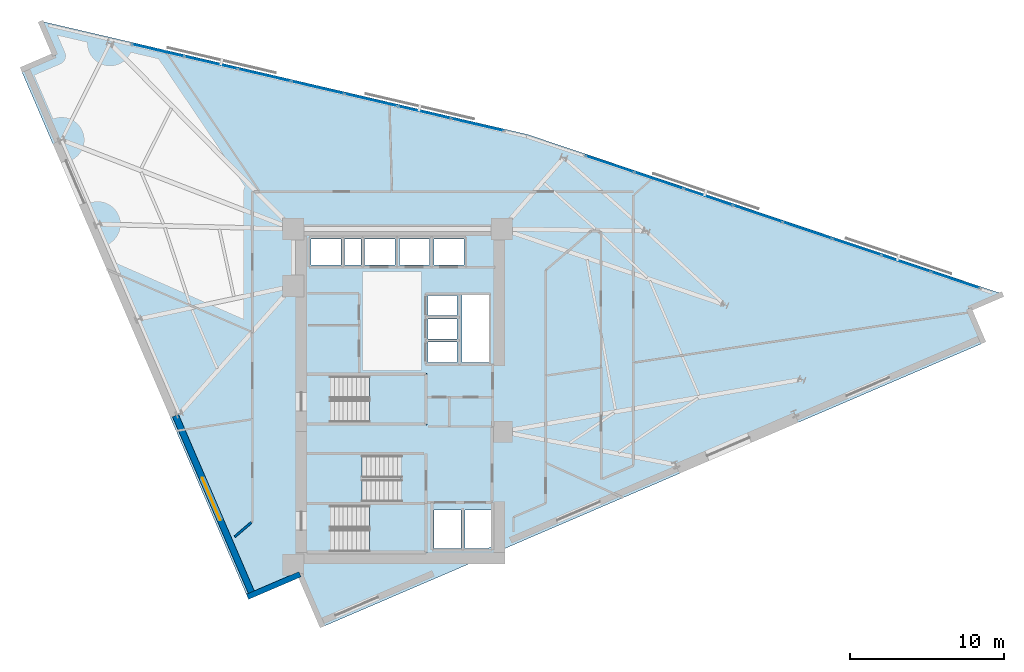
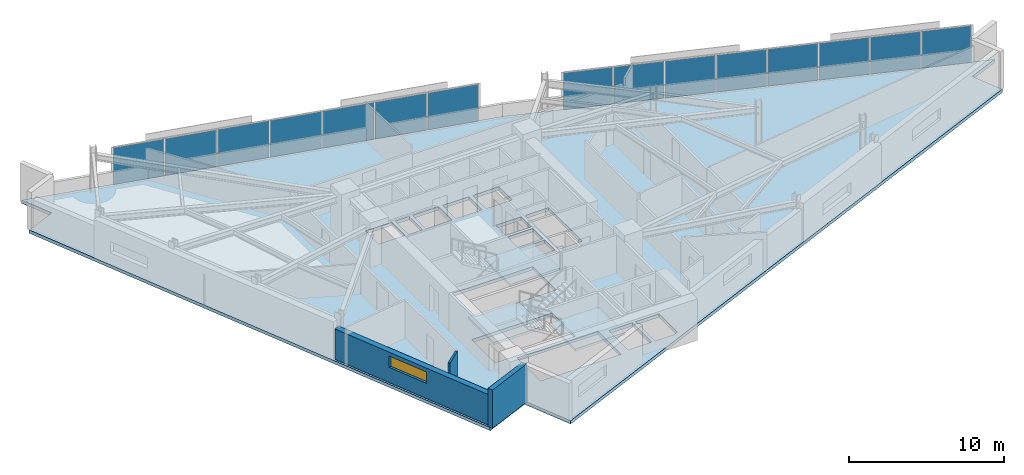
# One storey, part 8 of 14: 15 plates, 4 slabs, 3 walls, 1 window, 1 opening, 5 elements without a shape of their own.
"""IFC4 building model written with IfcOpenShell, lengths in metres."""

import ifcopenshell
import ifcopenshell.guid

model = None  # the IFC model being written
_history = None  # IfcOwnerHistory: only IFC2X3 demands one
_inside = {}  # id of a spatial element -> (the spatial element, [elements in it])
_under = {}  # id of a project, library or spatial element -> (it, [spatial elements below it])
_declared = {}  # id of a project -> (the project, [libraries it declares])
_typed = {}  # id of a type object -> (the type object, [elements of that type])
_made_of = {}  # id of a material, layer set ... -> (it, [elements and type objects made of it])


def new_model(schema):
    """Start an empty IFC model of exactly this schema.

    Asked for "IFC4X3", IfcOpenShell would pick the latest addendum, in which some entities
    have other attributes; the version numbers below select the first issue.
    IFC2X3 requires an IfcOwnerHistory on every rooted entity: one is made here for all.
    """
    global model, _history
    if schema == "IFC4X3":
        model = ifcopenshell.file(schema_version=(4, 3, 0, 0))
    else:
        model = ifcopenshell.file(schema=schema)
    _inside.clear()
    _under.clear()
    _declared.clear()
    _typed.clear()
    _made_of.clear()
    _history = None
    if model.schema == "IFC2X3":
        org = make("IfcOrganization", Name="unknown")
        user = make(
            "IfcPersonAndOrganization",
            ThePerson=make("IfcPerson", FamilyName="unknown"),
            TheOrganization=org,
        )
        app = make(
            "IfcApplication",
            ApplicationDeveloper=org,
            Version="unknown",
            ApplicationFullName="unknown",
            ApplicationIdentifier="unknown",
        )
        _history = make(
            "IfcOwnerHistory",
            OwningUser=user,
            OwningApplication=app,
            ChangeAction="ADDED",
            CreationDate=0,
        )
    return model


def make(cls, **values):
    """One entity of the class cls with the attributes given. An attribute that is None is left unset."""
    return model.create_entity(
        cls, **{name: value for name, value in values.items() if value is not None}
    )


def rooted(cls, **values):
    """An entity with a GlobalId (a new one), such as an element, a storey or a relation."""
    return make(cls, GlobalId=ifcopenshell.guid.new(), OwnerHistory=_history, **values)


def si_unit(unit_type, name, prefix=None):
    """IfcSIUnit, for example si_unit("LENGTHUNIT", "METRE", prefix="MILLI")."""
    return make("IfcSIUnit", UnitType=unit_type, Prefix=prefix, Name=name)


def assignment(units):
    """IfcUnitAssignment: the units of a project."""
    return None if units is None else make("IfcUnitAssignment", Units=units)


def point(xyz):
    """IfcCartesianPoint."""
    return None if xyz is None else make("IfcCartesianPoint", Coordinates=xyz)


def direction(xyz):
    """IfcDirection."""
    return None if xyz is None else make("IfcDirection", DirectionRatios=xyz)


def frame(location, z_axis=None, x_axis=None):
    """IfcAxis2Placement3D, a coordinate frame: its origin and axes. An axis left out is left unset."""
    return make(
        "IfcAxis2Placement3D",
        Location=point(location),
        Axis=direction(z_axis),
        RefDirection=direction(x_axis),
    )


def frame_2d(location, x_axis=None):
    """IfcAxis2Placement2D, a coordinate frame in the plane: its origin and x axis."""
    return make(
        "IfcAxis2Placement2D", Location=point(location), RefDirection=direction(x_axis)
    )


def origin():
    """The frame at (0, 0, 0) with its axes left unset."""
    return frame((0.0, 0.0, 0.0))


def origin_2d():
    """The frame at (0, 0) in the plane with its x axis left unset."""
    return frame_2d((0.0, 0.0))


def place(relative_to, where):
    """IfcLocalPlacement: puts the frame where relative to a parent placement (None: the world)."""
    return make(
        "IfcLocalPlacement", PlacementRelTo=relative_to, RelativePlacement=where
    )


def context(
    kind, dimensions, precision=None, world=None, true_north=None, identifier=None
):
    """IfcGeometricRepresentationContext, for example the 3D "Model" context."""
    return make(
        "IfcGeometricRepresentationContext",
        ContextIdentifier=identifier,
        ContextType=kind,
        CoordinateSpaceDimension=dimensions,
        Precision=precision,
        WorldCoordinateSystem=world,
        TrueNorth=true_north,
    )


def subcontext(parent, identifier, kind, view, scale=None):
    """IfcGeometricRepresentationSubContext, for example "Body" below "Model"."""
    return make(
        "IfcGeometricRepresentationSubContext",
        ContextIdentifier=identifier,
        ContextType=kind,
        ParentContext=parent,
        TargetScale=scale,
        TargetView=view,
    )


def project(units=None, contexts=None):
    """IfcProject with its units and contexts."""
    return rooted(
        "IfcProject",
        Name="project",
        RepresentationContexts=contexts,
        UnitsInContext=assignment(units),
    )


def spatial(cls, under=None, at=None, **own):
    """A site, building, storey or space (cls), placed at a placement, below another one or the project."""
    s = rooted(cls, ObjectPlacement=at, **own)
    if under is not None:
        _under.setdefault(under.id(), (under, []))[1].append(s)
    return s


def polyline(points):
    """IfcPolyline through the points."""
    return make("IfcPolyline", Points=[point(p) for p in points])


def profile(cls, at=None, kind="AREA", **sizes):
    """A parametric profile (cls). Its sizes go by their IFC names, for example OverallWidth=200.0."""
    return make(cls, ProfileType=kind, Position=at, **sizes)


def rectangle(**sizes):
    """IfcRectangleProfileDef."""
    return profile("IfcRectangleProfileDef", **sizes)


def outline(outer, holes=None, kind="AREA"):
    """IfcArbitraryClosedProfileDef: a profile drawn as a closed curve; with holes, ...WithVoids."""
    if holes is None:
        return make("IfcArbitraryClosedProfileDef", ProfileType=kind, OuterCurve=outer)
    return make(
        "IfcArbitraryProfileDefWithVoids",
        ProfileType=kind,
        OuterCurve=outer,
        InnerCurves=holes,
    )


def extrude(swept, where, along, depth):
    """IfcExtrudedAreaSolid: the profile swept, set in the frame where, extruded along a direction by depth."""
    return make(
        "IfcExtrudedAreaSolid",
        SweptArea=swept,
        Position=where,
        ExtrudedDirection=direction(along),
        Depth=depth,
    )


def shape(context_of_items, identifier, shape_type, items):
    """IfcShapeRepresentation: the items that make up one representation, for example the "Body"."""
    return make(
        "IfcShapeRepresentation",
        ContextOfItems=context_of_items,
        RepresentationIdentifier=identifier,
        RepresentationType=shape_type,
        Items=items,
    )


def material(Name=None, Category=None):
    """IfcMaterial."""
    return make("IfcMaterial", Name=Name, Category=Category)


def layer(
    of_material, thickness, ventilated=None, Name=None, Category=None, Priority=None
):
    """IfcMaterialLayer: one layer of a wall or slab, of a material (None: an air gap)."""
    return make(
        "IfcMaterialLayer",
        Material=of_material,
        LayerThickness=thickness,
        IsVentilated=ventilated,
        Name=Name,
        Category=Category,
        Priority=Priority,
    )


def layer_set(layers, Name=None):
    """IfcMaterialLayerSet."""
    return make("IfcMaterialLayerSet", MaterialLayers=layers, LayerSetName=Name)


def made_of(thing, what):
    """Note that an element or type object is made of a material, layer set ...; save() writes the relation."""
    if what is not None:
        _made_of.setdefault(what.id(), (what, []))[1].append(thing)
    return thing


def type_object(cls, material=None, **own):
    """A type object (cls), such as IfcWallType, which elements share."""
    return made_of(rooted(cls, **own), material)


def element(
    cls,
    number,
    at=None,
    inside=None,
    cuts=None,
    type_object=None,
    material=None,
    context=None,
    identifier="Body",
    shape_type=None,
    held_by="IfcProductDefinitionShape",
    body=None,
    shapes=None,
    **own,
):
    """One element of the class cls, such as IfcWall. Its Tag is "e" and its number.

    at: its placement. inside: the storey or other place that contains it. cuts: it is an
    opening in that element (IfcRelVoidsElement). A single representation is given by context,
    identifier, shape_type and body (its items); several are given by shapes. held_by: the class
    of the entity that holds the representations. save() writes the other relations.
    """
    e = rooted(cls, Tag="e%d" % number, ObjectPlacement=at, **own)
    if body is not None:
        shapes = [shape(context, identifier, shape_type, body)]
    if shapes is not None:
        e.Representation = make(held_by, Representations=shapes)
    if inside is not None:
        _inside.setdefault(inside.id(), (inside, []))[1].append(e)
    if cuts is not None:
        rooted(
            "IfcRelVoidsElement", RelatingBuildingElement=cuts, RelatedOpeningElement=e
        )
    if type_object is not None:
        _typed.setdefault(type_object.id(), (type_object, []))[1].append(e)
    return made_of(e, material)


def fill(opening, filler):
    """IfcRelFillsElement: the door or window that sits in an opening."""
    return rooted(
        "IfcRelFillsElement",
        RelatingOpeningElement=opening,
        RelatedBuildingElement=filler,
    )


def aggregate(whole, parts):
    """IfcRelAggregates: a whole, such as a stair, and the parts it consists of."""
    return rooted("IfcRelAggregates", RelatingObject=whole, RelatedObjects=parts)


def save(model, path):
    """Write the relations noted so far, then the file.

    IfcRelAggregates (storeys below a building ...), IfcRelContainedInSpatialStructure (elements
    in a storey), IfcRelDefinesByType, IfcRelAssociatesMaterial and IfcRelDeclares: one each for
    every whole, place, type object, material and project.
    """
    for whole, parts in _under.values():
        aggregate(whole, parts)
    for where, things in _inside.values():
        rooted(
            "IfcRelContainedInSpatialStructure",
            RelatedElements=things,
            RelatingStructure=where,
        )
    for kind, things in _typed.values():
        rooted("IfcRelDefinesByType", RelatedObjects=things, RelatingType=kind)
    for what, things in _made_of.values():
        rooted("IfcRelAssociatesMaterial", RelatedObjects=things, RelatingMaterial=what)
    for by, libraries in _declared.values():
        rooted("IfcRelDeclares", RelatingContext=by, RelatedDefinitions=libraries)
    model.write(path)


model = new_model("IFC4")

# Units and contexts
model_context = context("Model", 3, precision=1e-05, world=origin(), true_north=direction((0.0, 1.0)))
body_context = subcontext(model_context, "Body", "Model", "MODEL_VIEW")
ifc_project = project(units=[si_unit("LENGTHUNIT", "METRE"), si_unit("AREAUNIT", "SQUARE_METRE"), si_unit("VOLUMEUNIT", "CUBIC_METRE"), si_unit("PLANEANGLEUNIT", "RADIAN"), si_unit("MASSUNIT", "GRAM", prefix="KILO")], contexts=[model_context])

# Site, building, storey
site_placement = place(None, origin())
site = spatial("IfcSite", under=ifc_project, at=site_placement, CompositionType="ELEMENT")
building_placement = place(site_placement, origin())
building = spatial("IfcBuilding", under=site, at=building_placement, Name="Narakoshi Arena Tower", CompositionType="ELEMENT")
storey_placement = place(building_placement, frame((0.0, 0.0, 193.179931640625)))
storey = spatial("IfcBuildingStorey", under=building, at=storey_placement, Name="L52", CompositionType="ELEMENT", Elevation=193.179931640625)

# Curtain wall, plates
ifc_material_1 = material(Name="Anodised bronze aluminium 6063-T6", Category="aluminium")
curtain_wall_type = type_object("IfcCurtainWallType", Name="CW-HYP-MID", PredefinedType="NOTDEFINED", material=ifc_material_1)
curtain_wall_1_placement = place(storey_placement, origin())
curtain_wall_1 = element("IfcCurtainWall", 1, at=curtain_wall_1_placement, inside=storey, type_object=curtain_wall_type, Name="L52 Folded Hypotenuse Curtain Wall 1-1", PredefinedType="NOTDEFINED")
ifc_material_2 = material(Name="Bronze-tinted low-E laminated glass", Category="glass")
ifc_layer_1 = layer(ifc_material_2, 0.0380859375)
ifc_layer_set_1 = layer_set([ifc_layer_1], Name="Bronze-tinted low-E laminated glass")
plate_type = type_object("IfcPlateType", Name="PLT-GLZ-38", PredefinedType="CURTAIN_PANEL", material=ifc_layer_set_1)
plate_1_placement = place(storey_placement, frame((114.9833984375, 53.184326171875, 0.06494140625), z_axis=(0.0, 0.0, 1.0), x_axis=(-0.948002306863, 0.318263454048, 0.0)))
plate_1 = element("IfcPlate", 2, at=plate_1_placement, type_object=plate_type, Name="CW-02 panel 1.1", PredefinedType="CURTAIN_PANEL", context=body_context, shape_type="SweptSolid", body=[
    extrude(rectangle(XDim=3.27392578125, YDim=0.0380859375, at=origin_2d()), origin(), (0.0, 0.0, 1.0), 2.889892578125),
])
plate_2_placement = place(storey_placement, frame((111.790771484375, 54.256103515625, 0.06494140625), z_axis=(0.0, 0.0, 1.0), x_axis=(-0.948002306863, 0.318263454048, 0.0)))
plate_2 = element("IfcPlate", 3, at=plate_2_placement, type_object=plate_type, Name="CW-02 panel 2.1", PredefinedType="CURTAIN_PANEL", context=body_context, shape_type="SweptSolid", body=[
    extrude(rectangle(XDim=3.3115234375, YDim=0.0380859375, at=origin_2d()), origin(), (0.0, 0.0, 1.0), 2.889892578125),
])
plate_3_placement = place(storey_placement, frame((108.580322265625, 55.333984375, 0.06494140625), z_axis=(0.0, 0.0, 1.0), x_axis=(-0.948002306863, 0.318263454048, 0.0)))
plate_3 = element("IfcPlate", 4, at=plate_3_placement, type_object=plate_type, Name="CW-02 panel 3.1", PredefinedType="CURTAIN_PANEL", context=body_context, shape_type="SweptSolid", body=[
    extrude(rectangle(XDim=3.3115234375, YDim=0.0380859375, at=origin_2d()), origin(), (0.0, 0.0, 1.0), 2.889892578125),
])
plate_4_placement = place(storey_placement, frame((105.369873046875, 56.41162109375, 0.06494140625), z_axis=(0.0, 0.0, 1.0), x_axis=(-0.948002306863, 0.318263454048, 0.0)))
plate_4 = element("IfcPlate", 5, at=plate_4_placement, type_object=plate_type, Name="CW-02 panel 4.1", PredefinedType="CURTAIN_PANEL", context=body_context, shape_type="SweptSolid", body=[
    extrude(rectangle(XDim=3.3115234375, YDim=0.0380859375, at=origin_2d()), origin(), (0.0, 0.0, 1.0), 2.889892578125),
])
plate_5_placement = place(storey_placement, frame((102.15966796875, 57.489501953125, 0.06494140625), z_axis=(0.0, 0.0, 1.0), x_axis=(-0.948002306863, 0.318263454048, 0.0)))
plate_5 = element("IfcPlate", 6, at=plate_5_placement, type_object=plate_type, Name="CW-02 panel 5.1", PredefinedType="CURTAIN_PANEL", context=body_context, shape_type="SweptSolid", body=[
    extrude(rectangle(XDim=3.3115234375, YDim=0.0380859375, at=origin_2d()), origin(), (0.0, 0.0, 1.0), 2.889892578125),
])
plate_6_placement = place(storey_placement, frame((98.94921875, 58.567138671875, 0.06494140625), z_axis=(0.0, 0.0, 1.0), x_axis=(-0.948002306863, 0.318263454048, 0.0)))
plate_6 = element("IfcPlate", 7, at=plate_6_placement, type_object=plate_type, Name="CW-02 panel 6.1", PredefinedType="CURTAIN_PANEL", context=body_context, shape_type="SweptSolid", body=[
    extrude(rectangle(XDim=3.3115234375, YDim=0.0380859375, at=origin_2d()), origin(), (0.0, 0.0, 1.0), 2.889892578125),
])
plate_7_placement = place(storey_placement, frame((95.73876953125, 59.64501953125, 0.06494140625), z_axis=(0.0, 0.0, 1.0), x_axis=(-0.948002306863, 0.318263454048, 0.0)))
plate_7 = element("IfcPlate", 8, at=plate_7_placement, type_object=plate_type, Name="CW-02 panel 7.1", PredefinedType="CURTAIN_PANEL", context=body_context, shape_type="SweptSolid", body=[
    extrude(rectangle(XDim=3.3115234375, YDim=0.0380859375, at=origin_2d()), origin(), (0.0, 0.0, 1.0), 2.889892578125),
])
plate_8_placement = place(storey_placement, frame((92.546142578125, 60.716796875, 0.06494140625), z_axis=(0.0, 0.0, 1.0), x_axis=(-0.948002306863, 0.318263454048, 0.0)))
plate_8 = element("IfcPlate", 9, at=plate_8_placement, type_object=plate_type, Name="CW-02 panel 8.1", PredefinedType="CURTAIN_PANEL", context=body_context, shape_type="SweptSolid", body=[
    extrude(rectangle(XDim=3.27392578125, YDim=0.0380859375, at=origin_2d()), origin(), (0.0, 0.0, 1.0), 2.889892578125),
])
aggregate(curtain_wall_1, [plate_1, plate_2, plate_3, plate_4, plate_5, plate_6, plate_7, plate_8])

curtain_wall_2_placement = place(storey_placement, origin())
curtain_wall_2 = element("IfcCurtainWall", 10, at=curtain_wall_2_placement, inside=storey, type_object=curtain_wall_type, Name="L52 Folded Hypotenuse Curtain Wall 2-1", PredefinedType="NOTDEFINED")
plate_9_placement = place(storey_placement, frame((83.964599609375, 63.26806640625, 0.06494140625), z_axis=(0.0, 0.0, 1.0), x_axis=(-0.973959695189, 0.22672122121, 0.0)))
plate_9 = element("IfcPlate", 11, at=plate_9_placement, type_object=plate_type, Name="CW-02 panel 1.1", PredefinedType="CURTAIN_PANEL", context=body_context, shape_type="SweptSolid", body=[
    extrude(rectangle(XDim=3.44091796875, YDim=0.0380859375, at=origin_2d()), origin(), (0.0, 0.0, 1.0), 2.889892578125),
])
plate_10_placement = place(storey_placement, frame((80.52197265625, 64.0693359375, 0.06494140625), z_axis=(0.0, 0.0, 1.0), x_axis=(-0.973959695189, 0.22672122121, 0.0)))
plate_10 = element("IfcPlate", 12, at=plate_10_placement, type_object=plate_type, Name="CW-02 panel 2.1", PredefinedType="CURTAIN_PANEL", context=body_context, shape_type="SweptSolid", body=[
    extrude(rectangle(XDim=3.478271484375, YDim=0.0380859375, at=origin_2d()), origin(), (0.0, 0.0, 1.0), 2.889892578125),
])
plate_11_placement = place(storey_placement, frame((77.06103515625, 64.875, 0.06494140625), z_axis=(0.0, 0.0, 1.0), x_axis=(-0.973959695189, 0.22672122121, 0.0)))
plate_11 = element("IfcPlate", 13, at=plate_11_placement, type_object=plate_type, Name="CW-02 panel 3.1", PredefinedType="CURTAIN_PANEL", context=body_context, shape_type="SweptSolid", body=[
    extrude(rectangle(XDim=3.478271484375, YDim=0.0380859375, at=origin_2d()), origin(), (0.0, 0.0, 1.0), 2.889892578125),
])
plate_12_placement = place(storey_placement, frame((73.60009765625, 65.6806640625, 0.06494140625), z_axis=(0.0, 0.0, 1.0), x_axis=(-0.973959695189, 0.22672122121, 0.0)))
plate_12 = element("IfcPlate", 14, at=plate_12_placement, type_object=plate_type, Name="CW-02 panel 4.1", PredefinedType="CURTAIN_PANEL", context=body_context, shape_type="SweptSolid", body=[
    extrude(rectangle(XDim=3.478271484375, YDim=0.0380859375, at=origin_2d()), origin(), (0.0, 0.0, 1.0), 2.889892578125),
])
plate_13_placement = place(storey_placement, frame((70.139404296875, 66.486328125, 0.06494140625), z_axis=(0.0, 0.0, 1.0), x_axis=(-0.973959695189, 0.22672122121, 0.0)))
plate_13 = element("IfcPlate", 15, at=plate_13_placement, type_object=plate_type, Name="CW-02 panel 5.1", PredefinedType="CURTAIN_PANEL", context=body_context, shape_type="SweptSolid", body=[
    extrude(rectangle(XDim=3.478271484375, YDim=0.0380859375, at=origin_2d()), origin(), (0.0, 0.0, 1.0), 2.889892578125),
])
plate_14_placement = place(storey_placement, frame((66.678466796875, 67.2919921875, 0.06494140625), z_axis=(0.0, 0.0, 1.0), x_axis=(-0.973959695189, 0.22672122121, 0.0)))
plate_14 = element("IfcPlate", 16, at=plate_14_placement, type_object=plate_type, Name="CW-02 panel 6.1", PredefinedType="CURTAIN_PANEL", context=body_context, shape_type="SweptSolid", body=[
    extrude(rectangle(XDim=3.478271484375, YDim=0.0380859375, at=origin_2d()), origin(), (0.0, 0.0, 1.0), 2.889892578125),
])
plate_15_placement = place(storey_placement, frame((63.23583984375, 68.09326171875, 0.06494140625), z_axis=(0.0, 0.0, 1.0), x_axis=(-0.973959695189, 0.22672122121, 0.0)))
plate_15 = element("IfcPlate", 17, at=plate_15_placement, type_object=plate_type, Name="CW-02 panel 7.1", PredefinedType="CURTAIN_PANEL", context=body_context, shape_type="SweptSolid", body=[
    extrude(rectangle(XDim=3.44091796875, YDim=0.0380859375, at=origin_2d()), origin(), (0.0, 0.0, 1.0), 2.889892578125),
])
aggregate(curtain_wall_2, [plate_9, plate_10, plate_11, plate_12, plate_13, plate_14, plate_15])

# Stair, slab
ifc_material_3 = material(Name="Concrete C45/55", Category="concrete")
stair_type = type_object("IfcStairType", Name="STR-CORE-352", PredefinedType="TWO_STRAIGHT_RUN_STAIR", material=ifc_material_3)
stair_1_placement = place(storey_placement, origin())
stair_1 = element("IfcStair", 18, at=stair_1_placement, inside=storey, type_object=stair_type, Name="L52 Core Escape Stair ST1", PredefinedType="TWO_STRAIGHT_RUN_STAIR")
ifc_layer_2 = layer(ifc_material_3, 0.18994140625)
ifc_layer_set_2 = layer_set([ifc_layer_2], Name="Concrete C45/55")
slab_type_1 = type_object("IfcSlabType", Name="SLB-LND-190", PredefinedType="LANDING", material=ifc_layer_set_2)
slab_1_placement = place(storey_placement, frame((0.0, 0.0, 1.570068359375)))
slab_1 = element("IfcSlab", 19, at=slab_1_placement, type_object=slab_type_1, Name="ST1 landing 1", PredefinedType="LANDING", context=body_context, shape_type="SweptSolid", body=[
    extrude(outline(polyline([(76.965087890625, 35.3701171875), (80.679931640625, 35.3701171875), (80.679931640625, 38.72998046875), (76.965087890625, 38.72998046875), (76.965087890625, 35.3701171875)])), origin(), (0.0, 0.0, 1.0), 0.18994140625),
])
aggregate(stair_1, [slab_1])

stair_2_placement = place(storey_placement, origin())
stair_2 = element("IfcStair", 20, at=stair_2_placement, inside=storey, type_object=stair_type, Name="L52 Core Escape Stair ST2", PredefinedType="TWO_STRAIGHT_RUN_STAIR")
slab_2_placement = place(storey_placement, frame((0.0, 0.0, 1.570068359375)))
slab_2 = element("IfcSlab", 21, at=slab_2_placement, type_object=slab_type_1, Name="ST2 landing 1", PredefinedType="LANDING", context=body_context, shape_type="SweptSolid", body=[
    extrude(outline(polyline([(72.77001953125, 38.6201171875), (76.485107421875, 38.6201171875), (76.485107421875, 41.97998046875), (72.77001953125, 41.97998046875), (72.77001953125, 38.6201171875)])), origin(), (0.0, 0.0, 1.0), 0.18994140625),
])
aggregate(stair_2, [slab_2])

stair_3_placement = place(storey_placement, origin())
stair_3 = element("IfcStair", 22, at=stair_3_placement, inside=storey, type_object=stair_type, Name="L52 Core Escape Stair ST3", PredefinedType="TWO_STRAIGHT_RUN_STAIR")
slab_3_placement = place(storey_placement, frame((0.0, 0.0, 1.570068359375)))
slab_3 = element("IfcSlab", 23, at=slab_3_placement, type_object=slab_type_1, Name="ST3 landing 1", PredefinedType="LANDING", context=body_context, shape_type="SweptSolid", body=[
    extrude(outline(polyline([(76.965087890625, 43.77001953125), (80.679931640625, 43.77001953125), (80.679931640625, 47.1298828125), (76.965087890625, 47.1298828125), (76.965087890625, 43.77001953125)])), origin(), (0.0, 0.0, 1.0), 0.18994140625),
])
aggregate(stair_3, [slab_3])

# Slab
ifc_material_4 = material(Name="Concrete C50/60", Category="concrete")
ifc_layer_3 = layer(ifc_material_4, 0.260009765625)
ifc_layer_set_3 = layer_set([ifc_layer_3], Name="Concrete C50/60")
slab_type_2 = type_object("IfcSlabType", Name="SLB-SKY-260", PredefinedType="FLOOR", material=ifc_layer_set_3)
slab_4_placement = place(storey_placement, frame((0.0, 0.0, -0.260009765625)))
element("IfcSlab", 24, at=slab_4_placement, inside=storey, type_object=slab_type_2, Name="L52 Structural Floor Slab", PredefinedType="FLOOR", context=body_context, shape_type="SweptSolid", body=[
    extrude(outline(polyline([(73.9169921875, 30.68115234375), (116.8017578125, 49.105712890625), (115.84912109375, 51.3232421875), (118.06640625, 52.27587890625), (87.201416015625, 62.6376953125), (55.614013671875, 69.99072265625), (56.56640625, 67.7734375), (54.34912109375, 66.82080078125), (69.0400390625, 32.626708984375), (72.451416015625, 34.09228515625), (73.9169921875, 30.68115234375)]), holes=[polyline([(80.5, 35.550048828125), (74.47998046875, 35.550048828125), (74.47998046875, 38.550048828125), (80.5, 38.550048828125), (80.5, 35.550048828125)]), polyline([(82.89990234375, 35.75), (81.14990234375, 35.75), (81.14990234375, 38.25), (82.89990234375, 38.25), (82.89990234375, 35.75)]), polyline([(84.5751953125, 35.75), (83.14990234375, 35.75), (83.14990234375, 38.25), (84.89990234375, 38.25), (84.89990234375, 35.889404296875), (84.5751953125, 35.75)]), polyline([(72.949951171875, 38.800048828125), (72.949951171875, 41.800048828125), (78.969970703125, 41.800048828125), (78.969970703125, 38.800048828125), (72.949951171875, 38.800048828125)]), polyline([(74.47998046875, 43.949951171875), (74.47998046875, 46.949951171875), (80.5, 46.949951171875), (80.5, 43.949951171875), (74.47998046875, 43.949951171875)]), polyline([(82.949951171875, 47.840087890625), (82.949951171875, 52.199951171875), (84.699951171875, 52.199951171875), (84.699951171875, 47.840087890625), (82.949951171875, 47.840087890625)]), polyline([(80.75, 47.85009765625), (80.75, 49.14990234375), (82.64990234375, 49.14990234375), (82.64990234375, 47.85009765625), (80.75, 47.85009765625)]), polyline([(80.75, 49.3701171875), (80.75, 50.669921875), (82.64990234375, 50.669921875), (82.64990234375, 49.3701171875), (80.75, 49.3701171875)]), polyline([(80.75, 50.889892578125), (80.75, 52.18994140625), (82.64990234375, 52.18994140625), (82.64990234375, 50.889892578125), (80.75, 50.889892578125)]), polyline([(73.14990234375, 54.14990234375), (73.14990234375, 55.85009765625), (75.10009765625, 55.85009765625), (75.10009765625, 54.14990234375), (73.14990234375, 54.14990234375)]), polyline([(75.35009765625, 54.14990234375), (75.35009765625, 55.85009765625), (76.39990234375, 55.85009765625), (76.39990234375, 54.14990234375), (75.35009765625, 54.14990234375)]), polyline([(76.64990234375, 54.14990234375), (76.64990234375, 55.85009765625), (78.60009765625, 55.85009765625), (78.60009765625, 54.14990234375), (76.64990234375, 54.14990234375)]), polyline([(78.89990234375, 54.14990234375), (78.89990234375, 55.85009765625), (80.85009765625, 55.85009765625), (80.85009765625, 54.14990234375), (78.89990234375, 54.14990234375)]), polyline([(81.14990234375, 54.14990234375), (81.14990234375, 55.85009765625), (83.10009765625, 55.85009765625), (83.10009765625, 54.14990234375), (81.14990234375, 54.14990234375)])]), origin(), (0.0, 0.0, 1.0), 0.260009765625),
])

# Wall, opening, window
ifc_material_5 = material(Name="Precast concrete C45/55", Category="concrete")
ifc_layer_4 = layer(ifc_material_5, 0.419921875)
ifc_layer_set_4 = layer_set([ifc_layer_4], Name="Precast concrete C45/55")
wall_type_1 = type_object("IfcWallType", Name="WL-POD-420", PredefinedType="SOLIDWALL", material=ifc_layer_set_4)
wall_1_placement = place(storey_placement, frame((64.36669921875, 44.390869140625, 0.0), z_axis=(0.0, 0.0, 1.0), x_axis=(0.394757430431, -0.918785378159, 0.0)))
wall_1 = element("IfcWall", 25, at=wall_1_placement, inside=storey, type_object=wall_type_1, Name="L52 Architectural Concrete Facade Wall LEGB-3", PredefinedType="SOLIDWALL", context=body_context, shape_type="SweptSolid", body=[
    extrude(rectangle(XDim=12.653564453125, YDim=0.419921875, at=frame_2d((6.32666015625, 0.0))), origin(), (0.0, 0.0, 1.0), 2.405029296875),
])
opening_placement = place(wall_1_placement, frame((4.39306640625, 0.0, 1.199951171875)))
opening = element("IfcOpeningElement", 26, at=opening_placement, cuts=wall_1, Name="Opening WN-03", PredefinedType="OPENING", context=body_context, shape_type="SweptSolid", body=[
    extrude(rectangle(XDim=3.0, YDim=0.89990234375, at=frame_2d((1.5, 0.449951171875))), frame((0.0, 0.219970703125, 0.0), z_axis=(0.0, -1.0, 0.0), x_axis=(1.0, 0.0, 0.0)), (0.0, 0.0, 1.0), 0.43994140625),
])
window_type = type_object("IfcWindowType", Name="WIN-SLT-30x09", PartitioningType="SINGLE_PANEL", PredefinedType="WINDOW", material=ifc_material_2)
window_placement = place(opening_placement, origin())
window = element("IfcWindow", 27, at=window_placement, inside=storey, type_object=window_type, Name="L52 LEGB3 Horizontal Slot Window 1", OverallHeight=0.89990234375, OverallWidth=3.0, PartitioningType="SINGLE_PANEL", PredefinedType="WINDOW", context=body_context, shape_type="SweptSolid", body=[
    extrude(rectangle(XDim=3.0, YDim=0.89990234375, at=frame_2d((1.5, 0.449951171875))), frame((0.0, 0.030029296875, 0.0), z_axis=(0.0, -1.0, 0.0), x_axis=(1.0, 0.0, 0.0)), (0.0, 0.0, 1.0), 0.06005859375),
])
fill(opening, window)

# Walls
wall_2_placement = place(storey_placement, frame((69.0400390625, 32.626708984375, 0.0), z_axis=(0.0, 0.0, 1.0), x_axis=(0.91879775808, 0.394728615312, 0.0)))
element("IfcWall", 28, at=wall_2_placement, inside=storey, type_object=wall_type_1, Name="L52 Re-Entrant Corner Notch Wall NTA-1", PredefinedType="SOLIDWALL", context=body_context, shape_type="SweptSolid", body=[
    extrude(rectangle(XDim=3.712890625, YDim=0.360107421875, at=frame_2d((1.8564453125, 0.0))), origin(), (0.0, 0.0, 1.0), 3.02001953125),
])
ifc_material_6 = material(Name="Moisture-resistant cement-board partition")
ifc_layer_5 = layer(ifc_material_6, 0.14501953125)
ifc_layer_set_5 = layer_set([ifc_layer_5], Name="Moisture-resistant cement-board partition")
wall_type_2 = type_object("IfcWallType", Name="WL-WET-145", PredefinedType="PARTITIONING", material=ifc_layer_set_5)
wall_3_placement = place(storey_placement, frame((69.302490234375, 37.461181640625, 0.0), z_axis=(0.0, 0.0, 1.0), x_axis=(-0.758739995869, -0.65139359735, 0.0)))
element("IfcWall", 29, at=wall_3_placement, inside=storey, type_object=wall_type_2, Name="L52 Room Enclosure Partition 01-1", PredefinedType="PARTITIONING", context=body_context, shape_type="SweptSolid", body=[
    extrude(rectangle(XDim=1.43505859375, YDim=0.14501953125, at=frame_2d((0.717529296875, 0.0))), origin(), (0.0, 0.0, 1.0), 3.02001953125),
])

save(model, "model.ifc")
